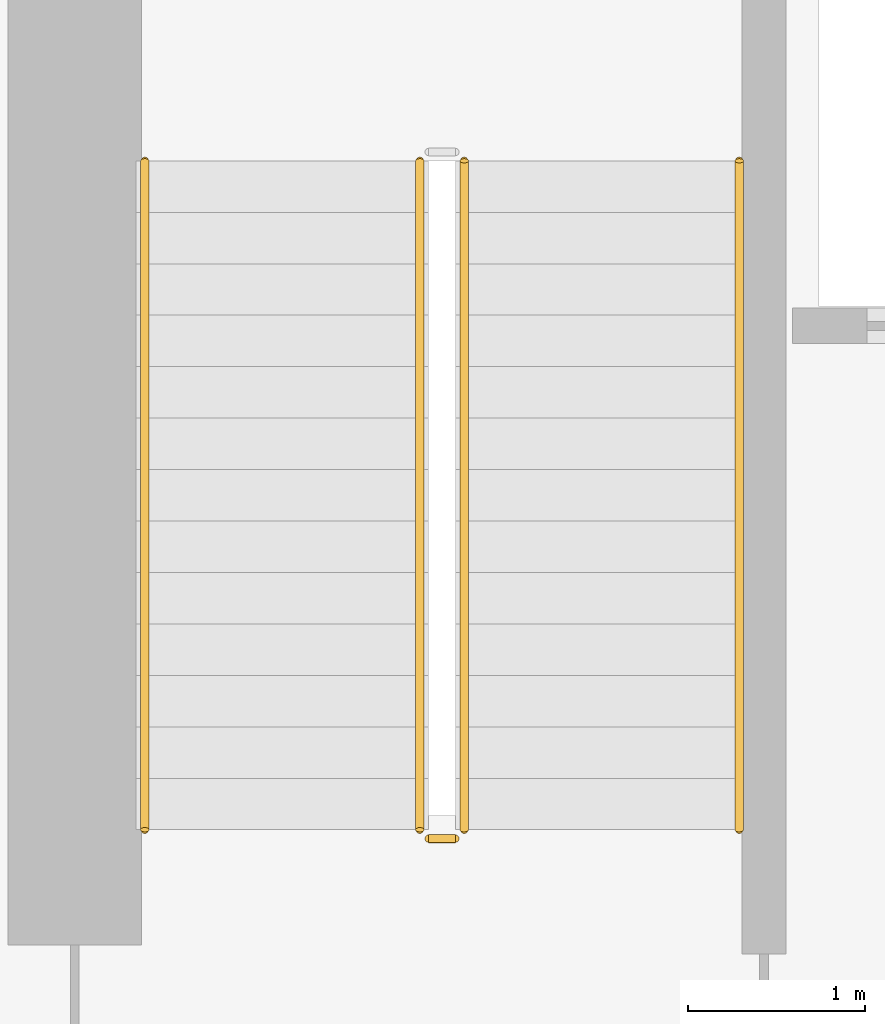
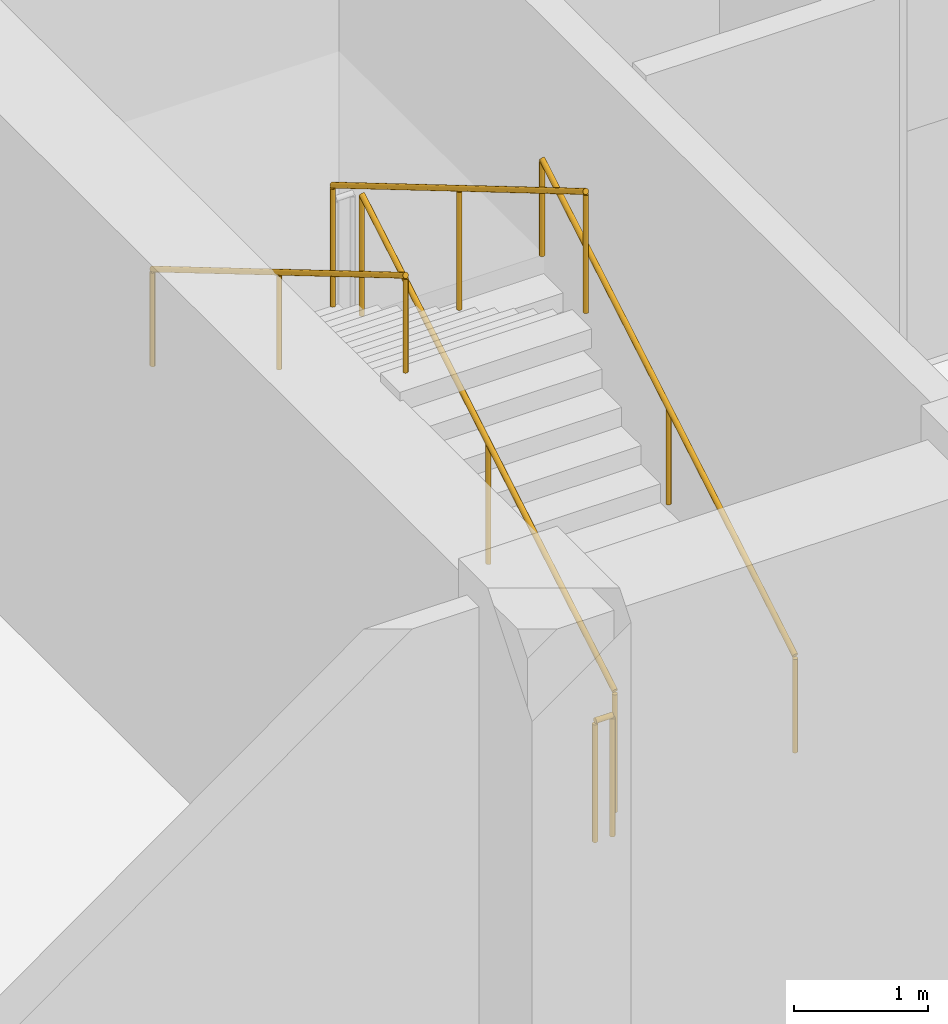
# One storey, part 8 of 11: 5 railings.
"""IFC4 building model written with IfcOpenShell, lengths in metres."""

from ifc_helpers import new_model, si_unit, direction, frame, origin, origin_2d, place, context, subcontext, project, spatial, circle, extrude, material, type_object, element, save


model = new_model("IFC4")

# Units and contexts
model_context = context("Model", 3, precision=1e-05, world=origin(), true_north=direction((0.0, 1.0)))
body_context = subcontext(model_context, "Body", "Model", "MODEL_VIEW")
ifc_project = project(units=[si_unit("LENGTHUNIT", "METRE"), si_unit("AREAUNIT", "SQUARE_METRE"), si_unit("VOLUMEUNIT", "CUBIC_METRE"), si_unit("PLANEANGLEUNIT", "RADIAN"), si_unit("MASSUNIT", "GRAM", prefix="KILO")], contexts=[model_context])

# Site, building, storey
site_placement = place(None, origin())
site = spatial("IfcSite", under=ifc_project, at=site_placement, CompositionType="ELEMENT")
building_placement = place(site_placement, origin())
building = spatial("IfcBuilding", under=site, at=building_placement, Name="Varnelok Gate Tower", CompositionType="ELEMENT")
storey_placement = place(building_placement, frame((0.0, 0.0, 162.39990234375)))
storey = spatial("IfcBuildingStorey", under=building, at=storey_placement, Name="L41", CompositionType="ELEMENT", Elevation=162.39990234375)

# Railings
ifc_material_1 = material(Name="Brushed Stainless Steel AISI 316", Category="steel")
railing_type_1 = type_object("IfcRailingType", Name="RL-HANDRAIL-900", PredefinedType="HANDRAIL", material=ifc_material_1)
railing_1_placement = place(storey_placement, frame((34.5, 31.60009765625, 0.171630859375)))
element("IfcRailing", 1, at=railing_1_placement, inside=storey, type_object=railing_type_1, Name="L41 ST-1 stair handrail 1", PredefinedType="HANDRAIL", context=body_context, shape_type="SweptSolid", body=[
    extrude(circle(Radius=0.02392578125, at=origin_2d()), frame((0.0, 0.0, 0.8759765625), z_axis=(0.0, 0.860848830602, 0.508860777473), x_axis=(-1.0, 0.0, 0.0)), (0.0, 0.0, 1.0), 4.37939453125),
    extrude(circle(Radius=0.02099609375, at=origin_2d()), origin(), (0.0, 0.0, 1.0), 0.851806640625),
    extrude(circle(Radius=0.02099609375, at=origin_2d()), frame((0.0, 1.885009765625, 1.1142578125)), (0.0, 0.0, 1.0), 0.851806640625),
    extrude(circle(Radius=0.02099609375, at=origin_2d()), frame((0.0, 3.77001953125, 2.228515625)), (0.0, 0.0, 1.0), 0.851806640625),
])
railing_2_placement = place(storey_placement, frame((31.14990234375, 35.3701171875, 2.571533203125)))
element("IfcRailing", 2, at=railing_2_placement, inside=storey, type_object=railing_type_1, Name="L41 ST-1 stair handrail 2", PredefinedType="HANDRAIL", context=body_context, shape_type="SweptSolid", body=[
    extrude(circle(Radius=0.02392578125, at=origin_2d()), frame((0.0, 0.0, 0.8759765625), z_axis=(0.0, -0.860848830602, 0.508860777473), x_axis=(1.0, 0.0, 0.0)), (0.0, 0.0, 1.0), 4.37939453125),
    extrude(circle(Radius=0.02099609375, at=origin_2d()), origin(), (0.0, 0.0, 1.0), 0.851806640625),
    extrude(circle(Radius=0.02099609375, at=origin_2d()), frame((0.0, -1.885009765625, 1.1142578125)), (0.0, 0.0, 1.0), 0.851806640625),
    extrude(circle(Radius=0.02099609375, at=origin_2d()), frame((0.0, -3.77001953125, 2.228515625)), (0.0, 0.0, 1.0), 0.851806640625),
])
ifc_material_2 = material(Name="Galvanized Steel Grade S350GD", Category="steel")
railing_type_2 = type_object("IfcRailingType", Name="RL-STAIR-GUARD1120", PredefinedType="GUARDRAIL", material=ifc_material_2)
railing_3_placement = place(storey_placement, frame((32.949951171875, 31.60009765625, 0.171630859375)))
element("IfcRailing", 3, at=railing_3_placement, inside=storey, type_object=railing_type_2, Name="L41 ST-1 stair guard 1", PredefinedType="GUARDRAIL", context=body_context, shape_type="SweptSolid", body=[
    extrude(circle(Radius=0.02392578125, at=origin_2d()), frame((0.0, 0.0, 1.09619140625), z_axis=(0.0, 0.860848830602, 0.508860777473), x_axis=(-1.0, 0.0, 0.0)), (0.0, 0.0, 1.0), 4.37939453125),
    extrude(circle(Radius=0.02099609375, at=origin_2d()), origin(), (0.0, 0.0, 1.0), 1.072021484375),
    extrude(circle(Radius=0.02099609375, at=origin_2d()), frame((0.0, 1.885009765625, 1.1142578125)), (0.0, 0.0, 1.0), 1.072021484375),
    extrude(circle(Radius=0.02099609375, at=origin_2d()), frame((0.0, 3.77001953125, 2.228515625)), (0.0, 0.0, 1.0), 1.072021484375),
])
railing_4_placement = place(storey_placement, frame((32.699951171875, 35.3701171875, 2.571533203125)))
element("IfcRailing", 4, at=railing_4_placement, inside=storey, type_object=railing_type_2, Name="L41 ST-1 stair guard 3", PredefinedType="GUARDRAIL", context=body_context, shape_type="SweptSolid", body=[
    extrude(circle(Radius=0.02392578125, at=origin_2d()), frame((0.0, 0.0, 1.09619140625), z_axis=(0.0, -0.860848830602, 0.508860777473), x_axis=(1.0, 0.0, 0.0)), (0.0, 0.0, 1.0), 4.37939453125),
    extrude(circle(Radius=0.02099609375, at=origin_2d()), origin(), (0.0, 0.0, 1.0), 1.072021484375),
    extrude(circle(Radius=0.02099609375, at=origin_2d()), frame((0.0, -1.885009765625, 1.1142578125)), (0.0, 0.0, 1.0), 1.072021484375),
    extrude(circle(Radius=0.02099609375, at=origin_2d()), frame((0.0, -3.77001953125, 2.228515625)), (0.0, 0.0, 1.0), 1.072021484375),
])
railing_5_placement = place(storey_placement, frame((32.89990234375, 31.550048828125, 0.0)))
element("IfcRailing", 5, at=railing_5_placement, inside=storey, type_object=railing_type_2, Name="L41 ST-1 stair guard 4", PredefinedType="GUARDRAIL", context=body_context, shape_type="SweptSolid", body=[
    extrude(circle(Radius=0.02392578125, at=origin_2d()), frame((0.0, 0.0, 1.09619140625), z_axis=(-1.0, 0.0, 0.0), x_axis=(0.0, -1.0, 0.0)), (0.0, 0.0, 1.0), 0.14990234375),
    extrude(circle(Radius=0.02099609375, at=origin_2d()), origin(), (0.0, 0.0, 1.0), 1.072021484375),
    extrude(circle(Radius=0.02099609375, at=origin_2d()), frame((-0.14990234375, 0.0, 0.0)), (0.0, 0.0, 1.0), 1.072021484375),
])

save(model, "model.ifc")
